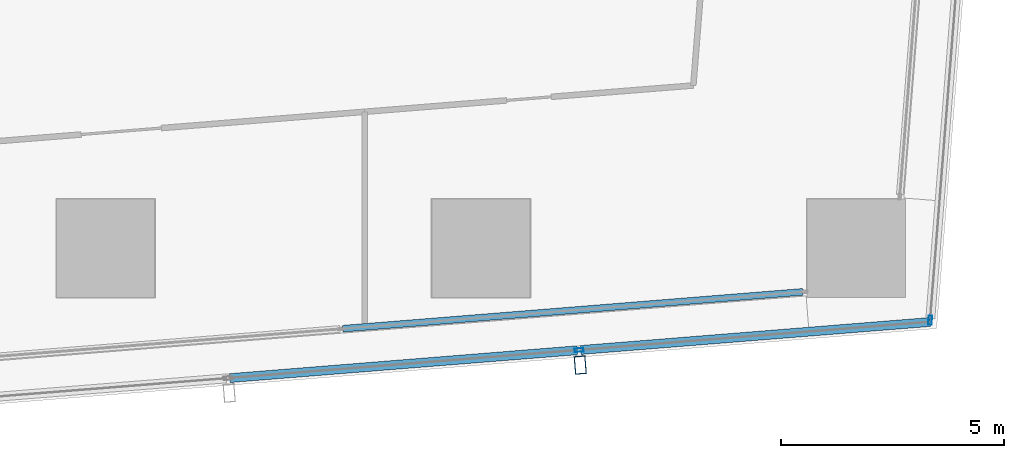
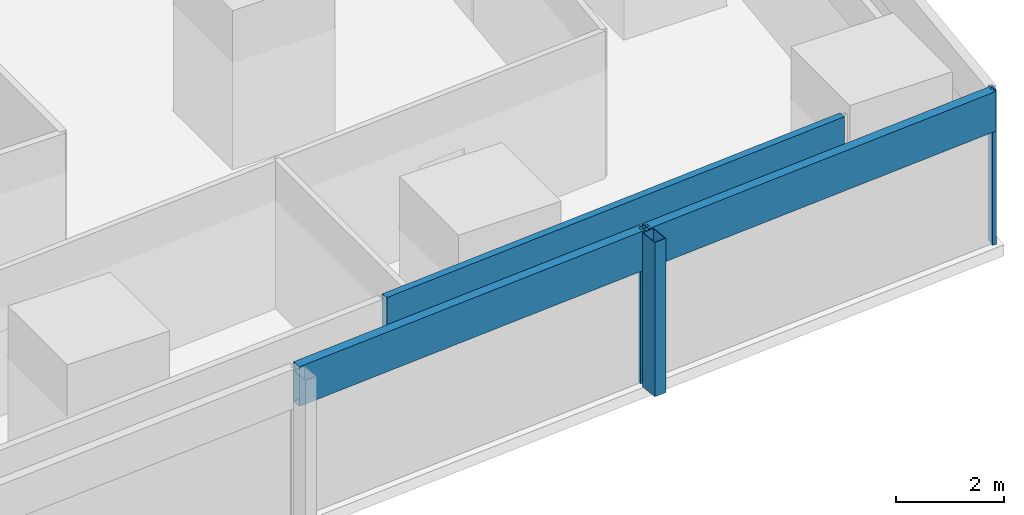
# One storey, part 11 of 44: 6 members, 3 elements without a shape of their own.
"""IFC4 building model written with IfcOpenShell, lengths in metres."""

from ifc_helpers import new_model, si_unit, direction, frame, origin, origin_2d, place, context, subcontext, project, spatial, hollow_rectangle, extrude, material, material_profile, profile_set, type_object, element, aggregate, save


model = new_model("IFC4")

# Units and contexts
model_context = context("Model", 3, precision=1e-05, world=origin(), true_north=direction((0.0, 1.0)))
body_context = subcontext(model_context, "Body", "Model", "MODEL_VIEW")
ifc_project = project(units=[si_unit("LENGTHUNIT", "METRE"), si_unit("AREAUNIT", "SQUARE_METRE"), si_unit("VOLUMEUNIT", "CUBIC_METRE"), si_unit("PLANEANGLEUNIT", "RADIAN"), si_unit("MASSUNIT", "GRAM", prefix="KILO")], contexts=[model_context])

# Site, building, storey
site_placement = place(None, origin())
site = spatial("IfcSite", under=ifc_project, at=site_placement, CompositionType="ELEMENT")
building_placement = place(site_placement, origin())
building = spatial("IfcBuilding", under=site, at=building_placement, Name="Rekha Terrace Tower", CompositionType="ELEMENT")
storey_placement = place(building_placement, frame((0.0, 0.0, 51.64990234375)))
storey = spatial("IfcBuildingStorey", under=building, at=storey_placement, Name="L12", CompositionType="ELEMENT", Elevation=51.64990234375)

# Curtain wall, member
ifc_material_1 = material(Name="Aluminium framing", Category="aluminium")
curtain_wall_type_1 = type_object("IfcCurtainWallType", Name="CW2 double skin outer glazing", PredefinedType="USERDEFINED", material=ifc_material_1)
curtain_wall_1_placement = place(storey_placement, origin())
curtain_wall_1 = element("IfcCurtainWall", 1, at=curtain_wall_1_placement, inside=storey, type_object=curtain_wall_type_1, Name="CW2 double skin outer glazing", ObjectType="DOUBLE SKIN OUTER GLAZING", PredefinedType="USERDEFINED")
ifc_material_2 = material(Name="Steel S355 with fluorocarbon finish", Category="steel")
ifc_material_profile_1 = material_profile(ifc_material_2, hollow_rectangle(XDim=0.25, YDim=0.39990234375, WallThickness=0.012451171875, at=origin_2d()), Name="RHS400x250x12.5")
ifc_profile_set_1 = profile_set([ifc_material_profile_1], Name="Steel S355 with fluorocarbon finish")
member_type_1 = type_object("IfcMemberType", Name="BL1 facade blade RHS 400 x 250", PredefinedType="USERDEFINED", material=ifc_profile_set_1)
member_1_placement = place(storey_placement, frame((61.022705078125, 5.78515625, 0.0), z_axis=(0.0, 0.0, 1.0), x_axis=(0.996805139821, 0.079871855039, 0.0)))
member_1 = element("IfcMember", 2, at=member_1_placement, type_object=member_type_1, Name="Facade blade", ObjectType="FACADE BLADE", PredefinedType="USERDEFINED", context=body_context, shape_type="SweptSolid", body=[
    extrude(hollow_rectangle(XDim=0.25, YDim=0.39990234375, WallThickness=0.012451171875, at=origin_2d()), origin(), (0.0, 0.0, 1.0), 3.5),
])

curtain_wall_type_2 = type_object("IfcCurtainWallType", Name="CW1 double skin inner glazing", PredefinedType="USERDEFINED", material=ifc_material_1)
curtain_wall_2_placement = place(storey_placement, origin())
curtain_wall_2 = element("IfcCurtainWall", 3, at=curtain_wall_2_placement, inside=storey, type_object=curtain_wall_type_2, Name="CW1 double skin inner glazing", ObjectType="DOUBLE SKIN INNER GLAZING", PredefinedType="USERDEFINED")
ifc_material_3 = material(Name="Insulated aluminium spandrel box", Category="aluminium")
ifc_material_profile_2 = material_profile(ifc_material_3, hollow_rectangle(XDim=0.14990234375, YDim=0.89990234375, WallThickness=0.0029296875, at=origin_2d()), Name="AL SPANDREL BOX 150x900")
ifc_profile_set_2 = profile_set([ifc_material_profile_2], Name="Insulated aluminium spandrel box")
member_type_2 = type_object("IfcMemberType", Name="CW1 spandrel transom 150 x 900", PredefinedType="USERDEFINED", material=ifc_profile_set_2)
member_2_placement = place(storey_placement, frame((55.704345703125, 6.59814453125, 3.050048828125), z_axis=(0.996806184606, 0.079858814989, 0.0), x_axis=(-0.079858814989, 0.996806184606, 0.0)))
member_2 = element("IfcMember", 4, at=member_2_placement, type_object=member_type_2, Name="CW1 spandrel transom 2", ObjectType="TRANSOM", PredefinedType="USERDEFINED", context=body_context, shape_type="SweptSolid", body=[
    extrude(hollow_rectangle(XDim=0.14990234375, YDim=0.89990234375, WallThickness=0.0029296875, at=origin_2d()), origin(), (0.0, 0.0, 1.0), 10.336181640625),
])
aggregate(curtain_wall_2, [member_2])

# Member
ifc_material_4 = material(Name="Aluminium mullion section", Category="aluminium")
ifc_material_profile_3 = material_profile(ifc_material_4, hollow_rectangle(XDim=0.080078125, YDim=0.199951171875, WallThickness=0.00390625, at=origin_2d()), Name="AL RHS 80x200")
ifc_profile_set_3 = profile_set([ifc_material_profile_3], Name="Aluminium mullion section")
member_type_3 = type_object("IfcMemberType", Name="CW2 mullion RHS 80 x 200", PredefinedType="MULLION", material=ifc_profile_set_3)
member_3_placement = place(storey_placement, frame((60.99609375, 6.119140625, 0.0), z_axis=(0.0, 0.0, 1.0), x_axis=(-0.079872204468, 0.996805111821, 0.0)))
member_3 = element("IfcMember", 5, at=member_3_placement, type_object=member_type_3, Name="CW2 mullion 3", PredefinedType="MULLION", context=body_context, shape_type="SweptSolid", body=[
    extrude(hollow_rectangle(XDim=0.080078125, YDim=0.199951171875, WallThickness=0.00390625, at=origin_2d()), origin(), (0.0, 0.0, 1.0), 3.5),
])

# Curtain wall, member
curtain_wall_3_placement = place(storey_placement, origin())
curtain_wall_3 = element("IfcCurtainWall", 6, at=curtain_wall_3_placement, inside=storey, type_object=curtain_wall_type_1, Name="CW2 double skin outer glazing", ObjectType="DOUBLE SKIN OUTER GLAZING", PredefinedType="USERDEFINED")
member_4_placement = place(storey_placement, frame((68.8544921875, 6.78857421875, 0.0), z_axis=(0.0, 0.0, 1.0), x_axis=(-0.996865392575, 0.079116301017, 0.0)))
member_4 = element("IfcMember", 7, at=member_4_placement, type_object=member_type_3, Name="CW2 mullion 1", PredefinedType="MULLION", context=body_context, shape_type="SweptSolid", body=[
    extrude(hollow_rectangle(XDim=0.080078125, YDim=0.199951171875, WallThickness=0.00390625, at=origin_2d()), origin(), (0.0, 0.0, 1.0), 3.5),
])
aggregate(curtain_wall_3, [member_4])

# Member
ifc_material_profile_4 = material_profile(ifc_material_3, hollow_rectangle(XDim=0.199951171875, YDim=0.89990234375, WallThickness=0.0029296875, at=origin_2d()), Name="AL SPANDREL BOX 200x900")
ifc_profile_set_4 = profile_set([ifc_material_profile_4], Name="Insulated aluminium spandrel box")
member_type_4 = type_object("IfcMemberType", Name="CW2 spandrel transom 200 x 900", PredefinedType="USERDEFINED", material=ifc_profile_set_4)
member_5_placement = place(storey_placement, frame((53.1806640625, 5.492919921875, 3.050048828125), z_axis=(0.996804920132, 0.079874596715, 0.0), x_axis=(-0.079874596715, 0.996804920132, 0.0)))
member_5 = element("IfcMember", 8, at=member_5_placement, type_object=member_type_4, Name="CW2 spandrel transom 2", ObjectType="TRANSOM", PredefinedType="USERDEFINED", context=body_context, shape_type="SweptSolid", body=[
    extrude(hollow_rectangle(XDim=0.199951171875, YDim=0.89990234375, WallThickness=0.0029296875, at=origin_2d()), origin(), (0.0, 0.0, 1.0), 7.80029296875),
])

member_6_placement = place(storey_placement, frame((61.035888671875, 6.122314453125, 3.050048828125), z_axis=(0.996805270739, 0.07987022115, 0.0), x_axis=(-0.07987022115, 0.996805270739, 0.0)))
member_6 = element("IfcMember", 9, at=member_6_placement, type_object=member_type_4, Name="CW2 spandrel transom 3", ObjectType="TRANSOM", PredefinedType="USERDEFINED", context=body_context, shape_type="SweptSolid", body=[
    extrude(hollow_rectangle(XDim=0.199951171875, YDim=0.89990234375, WallThickness=0.0029296875, at=origin_2d()), origin(), (0.0, 0.0, 1.0), 7.840576171875),
])

aggregate(curtain_wall_1, [member_3, member_5, member_6, member_1])

save(model, "model.ifc")
